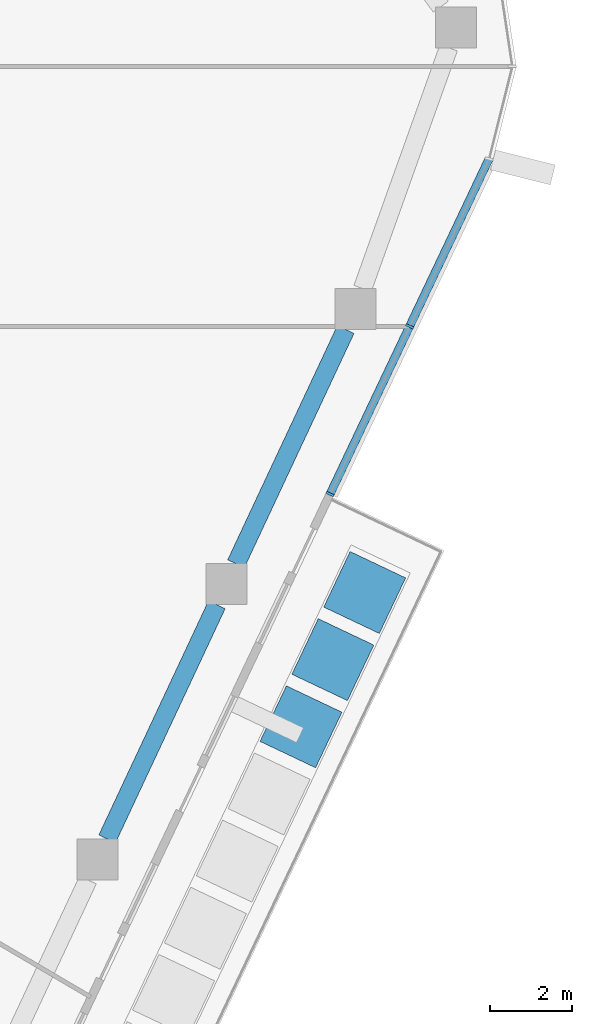
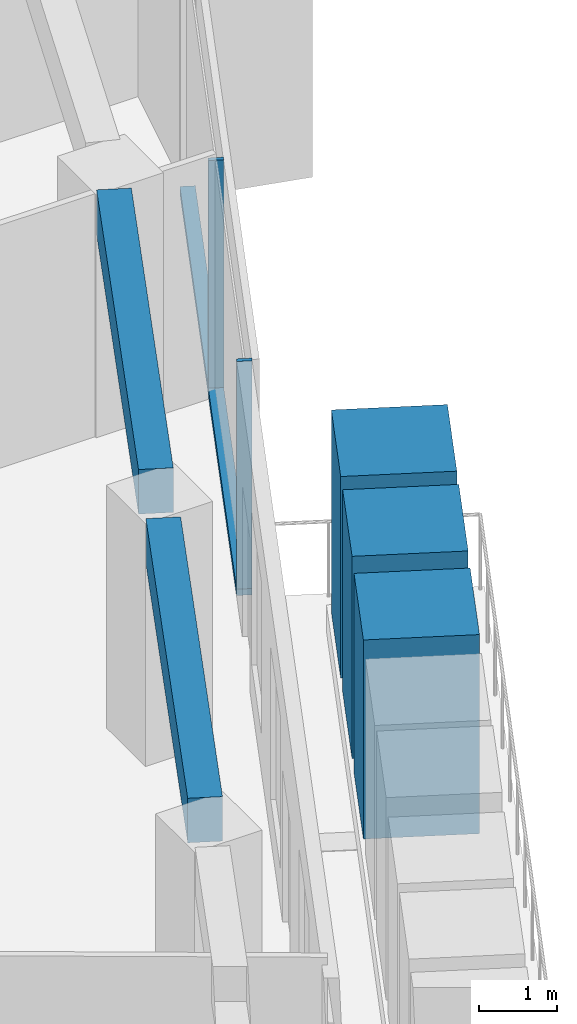
# One storey, part 5 of 24: 6 members, 2 beams, 1 element without a shape of its own.
"""IFC4 building model written with IfcOpenShell, lengths in metres."""

from ifc_helpers import new_model, si_unit, direction, frame, origin, origin_2d, place, context, subcontext, project, spatial, rectangle, extrude, material, layer, layer_set, material_profile, profile_set, type_object, element, aggregate, save


model = new_model("IFC4")

# Units and contexts
model_context = context("Model", 3, precision=1e-05, world=origin(), true_north=direction((0.0, 1.0)))
body_context = subcontext(model_context, "Body", "Model", "MODEL_VIEW")
ifc_project = project(units=[si_unit("LENGTHUNIT", "METRE"), si_unit("AREAUNIT", "SQUARE_METRE"), si_unit("VOLUMEUNIT", "CUBIC_METRE"), si_unit("PLANEANGLEUNIT", "RADIAN"), si_unit("MASSUNIT", "GRAM", prefix="KILO")], contexts=[model_context])

# Site, building, storey
site_placement = place(None, origin())
site = spatial("IfcSite", under=ifc_project, at=site_placement, CompositionType="ELEMENT")
building_placement = place(site_placement, origin())
building = spatial("IfcBuilding", under=site, at=building_placement, Name="Dongbaek Canopy Tower", CompositionType="ELEMENT")
storey_placement = place(building_placement, frame((0.0, 0.0, 344.60009765625)))
storey = spatial("IfcBuildingStorey", under=building, at=storey_placement, Name="L74", CompositionType="ELEMENT", Elevation=344.60009765625)

# Curtain wall, members
ifc_material_1 = material(Name="Aluminium 6063-T6 pale anodised", Category="aluminium")
ifc_layer = layer(ifc_material_1, 0.199951171875)
ifc_layer_set = layer_set([ifc_layer], Name="CW-1 unitised tower curtain wall")
curtain_wall_type = type_object("IfcCurtainWallType", Name="CW-1 unitised tower curtain wall", PredefinedType="NOTDEFINED", material=ifc_layer_set)
curtain_wall_placement = place(storey_placement, origin())
curtain_wall = element("IfcCurtainWall", 1, at=curtain_wall_placement, inside=storey, type_object=curtain_wall_type, Name="CW-1 curtain wall F5.1", PredefinedType="NOTDEFINED")
ifc_material_2 = material(Name="Aluminium 6063-T6 pale anodised", Category="aluminium")
ifc_material_profile_1 = material_profile(ifc_material_2, rectangle(XDim=0.199951171875, YDim=0.06005859375, at=origin_2d()), Name="CW-1 mullion 60 x 200")
ifc_profile_set_1 = profile_set([ifc_material_profile_1], Name="Aluminium 6063-T6 pale anodised")
member_type_1 = type_object("IfcMemberType", Name="CW-1 mullion 60 x 200", PredefinedType="MULLION", material=ifc_profile_set_1)
member_1_placement = place(storey_placement, frame((27.73681640625, -4.681640625, 0.119873046875), z_axis=(0.0, 0.0, 1.0), x_axis=(0.903531350723, -0.428521992738, 0.0)))
member_1 = element("IfcMember", 2, at=member_1_placement, type_object=member_type_1, Name="CW-1 mullion F5.1.1", PredefinedType="MULLION", context=body_context, shape_type="SweptSolid", body=[
    extrude(rectangle(XDim=0.199951171875, YDim=0.06005859375, at=origin_2d()), origin(), (0.0, 0.0, 1.0), 3.580078125),
])
member_2_placement = place(storey_placement, frame((29.676513671875, -0.591552734375, 0.119873046875), z_axis=(0.0, 0.0, 1.0), x_axis=(0.903531350723, -0.428521992738, 0.0)))
member_2 = element("IfcMember", 3, at=member_2_placement, type_object=member_type_1, Name="CW-1 mullion F5.1.2", PredefinedType="MULLION", context=body_context, shape_type="SweptSolid", body=[
    extrude(rectangle(XDim=0.199951171875, YDim=0.06005859375, at=origin_2d()), origin(), (0.0, 0.0, 1.0), 3.580078125),
])
ifc_material_3 = material(Name="Aluminium 6063-T6 pale anodised", Category="aluminium")
ifc_material_profile_2 = material_profile(ifc_material_3, rectangle(XDim=0.199951171875, YDim=0.1201171875, at=origin_2d()), Name="CW-1 transom 120 x 200")
ifc_profile_set_2 = profile_set([ifc_material_profile_2], Name="Aluminium 6063-T6 pale anodised")
member_type_2 = type_object("IfcMemberType", Name="CW-1 transom 120 x 200", PredefinedType="USERDEFINED", material=ifc_profile_set_2)
member_3_placement = place(storey_placement, frame((27.73681640625, -4.681640625, 0.059814453125), z_axis=(0.428511029876, 0.903536550049, 0.0), x_axis=(-0.903536550049, 0.428511029876, 0.0)))
member_3 = element("IfcMember", 4, at=member_3_placement, type_object=member_type_2, Name="CW-1 transom F5.1.1", ObjectType="TRANSOM", PredefinedType="USERDEFINED", context=body_context, shape_type="SweptSolid", body=[
    extrude(rectangle(XDim=0.199951171875, YDim=0.1201171875, at=origin_2d()), origin(), (0.0, 0.0, 1.0), 9.04345703125),
])
aggregate(curtain_wall, [member_1, member_2, member_3])

# Beams
ifc_material_4 = material(Name="Concrete C60", Category="concrete")
ifc_material_profile_3 = material_profile(ifc_material_4, rectangle(XDim=0.449951171875, YDim=0.699951171875, at=origin_2d()), Name="RC EDGE BEAM 450x700 C60")
ifc_profile_set_3 = profile_set([ifc_material_profile_3], Name="Concrete C60")
beam_type = type_object("IfcBeamType", Name="RC EDGE BEAM 450x700 C60", PredefinedType="BEAM", material=ifc_profile_set_3)
beam_1_placement = place(storey_placement, frame((28.116943359375, -0.669921875, 3.469970703125), z_axis=(-0.42401310583, -0.905656052861, 0.0), x_axis=(0.905656052861, -0.42401310583, 0.0)))
element("IfcBeam", 5, at=beam_1_placement, inside=storey, type_object=beam_type, Name="EDGEBEAM:L74:22", PredefinedType="BEAM", context=body_context, shape_type="SweptSolid", body=[
    extrude(rectangle(XDim=0.449951171875, YDim=0.699951171875, at=origin_2d()), origin(), (0.0, 0.0, 1.0), 6.3037109375),
])
beam_2_placement = place(storey_placement, frame((24.975830078125, -7.37890625, 3.469970703125), z_axis=(-0.424108398663, -0.905611432229, 0.0), x_axis=(0.905611432229, -0.424108398663, 0.0)))
element("IfcBeam", 6, at=beam_2_placement, inside=storey, type_object=beam_type, Name="EDGEBEAM:L74:23", PredefinedType="BEAM", context=body_context, shape_type="SweptSolid", body=[
    extrude(rectangle(XDim=0.449951171875, YDim=0.699951171875, at=origin_2d()), origin(), (0.0, 0.0, 1.0), 6.303955078125),
])

# Members
ifc_material_5 = material(Name="Concrete C40/50 planter mass with planting", Category="concrete")
ifc_material_profile_4 = material_profile(ifc_material_5, rectangle(XDim=1.5, YDim=1.5, at=origin_2d()), Name="Terrace PLANTER shrub mass 1500 x 1500")
ifc_profile_set_4 = profile_set([ifc_material_profile_4], Name="Concrete C40/50 planter mass with planting")
member_type_3 = type_object("IfcMemberType", Name="Terrace PLANTER shrub mass 1500 x 1500", PredefinedType="USERDEFINED", material=ifc_profile_set_4)
member_4_placement = place(storey_placement, frame((27.02734375, -10.3544921875, 0.419921875), z_axis=(0.0, 0.0, 1.0), x_axis=(0.903531350723, -0.428521992738, 0.0)))
element("IfcMember", 7, at=member_4_placement, inside=storey, type_object=member_type_3, Name="Planter shrubs L74 5.7", ObjectType="PLANTER", PredefinedType="USERDEFINED", context=body_context, shape_type="SweptSolid", body=[
    extrude(rectangle(XDim=1.5, YDim=1.5, at=origin_2d()), origin(), (0.0, 0.0, 1.0), 3.1298828125),
])
member_5_placement = place(storey_placement, frame((27.803955078125, -8.717529296875, 0.419921875), z_axis=(0.0, 0.0, 1.0), x_axis=(0.903531350723, -0.428521992738, 0.0)))
element("IfcMember", 8, at=member_5_placement, inside=storey, type_object=member_type_3, Name="Planter shrubs L74 5.8", ObjectType="PLANTER", PredefinedType="USERDEFINED", context=body_context, shape_type="SweptSolid", body=[
    extrude(rectangle(XDim=1.5, YDim=1.5, at=origin_2d()), origin(), (0.0, 0.0, 1.0), 3.179931640625),
])
member_6_placement = place(storey_placement, frame((28.580322265625, -7.080322265625, 0.419921875), z_axis=(0.0, 0.0, 1.0), x_axis=(0.903531350723, -0.428521992738, 0.0)))
element("IfcMember", 9, at=member_6_placement, inside=storey, type_object=member_type_3, Name="Planter shrubs L74 5.9", ObjectType="PLANTER", PredefinedType="USERDEFINED", context=body_context, shape_type="SweptSolid", body=[
    extrude(rectangle(XDim=1.5, YDim=1.5, at=origin_2d()), origin(), (0.0, 0.0, 1.0), 3.169921875),
])

save(model, "model.ifc")
